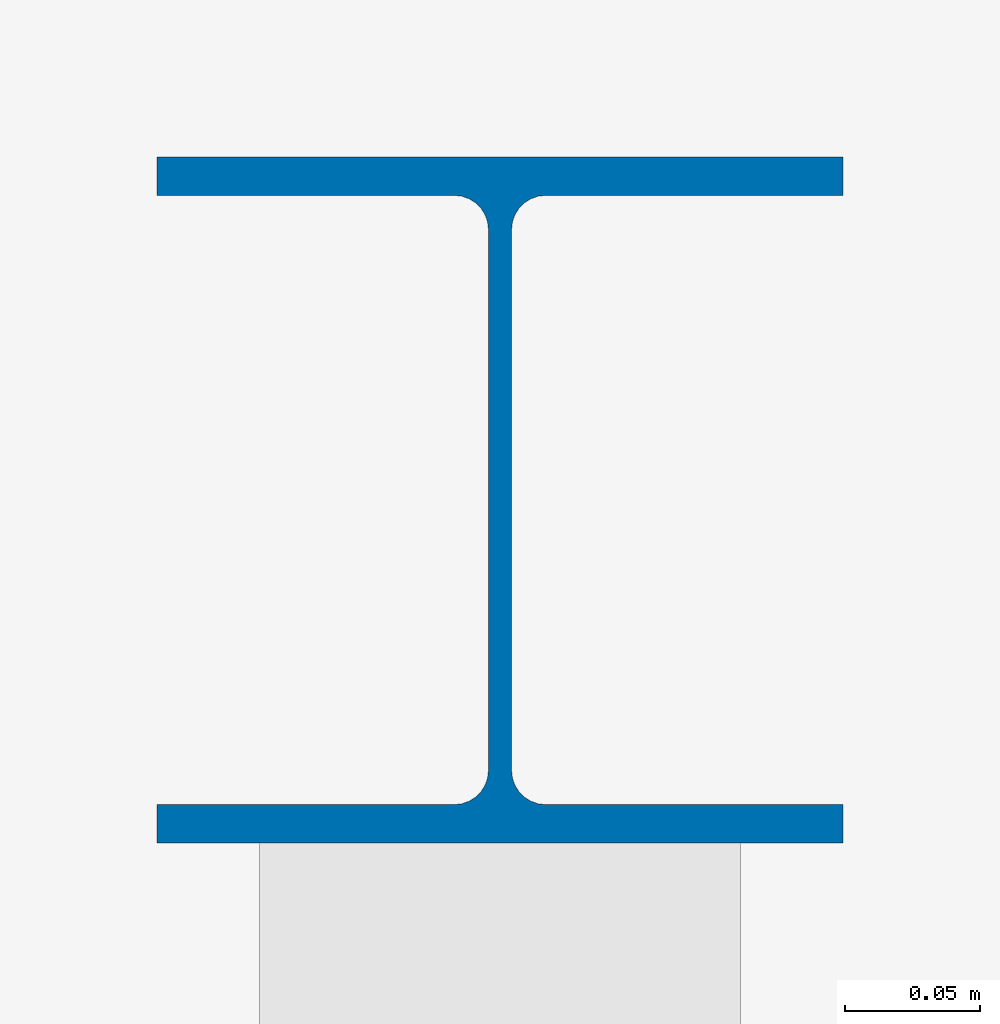
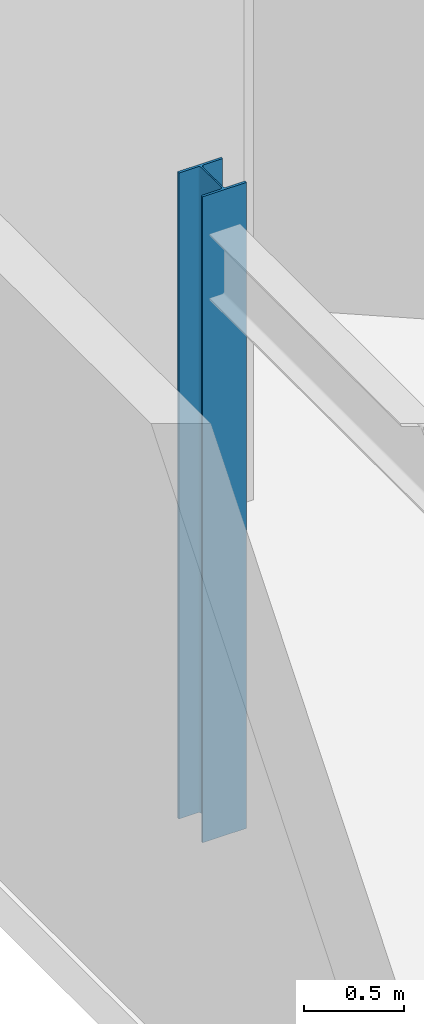
# One storey, part 4 of 15: 1 column.
"""IFC4 building model written with IfcOpenShell, lengths in metres."""

from ifc_helpers import new_model, si_unit, direction, frame, origin, origin_2d, place, context, subcontext, project, spatial, i_section, extrude, material, material_profile, profile_set, type_object, element, save


model = new_model("IFC4")

# Units and contexts
model_context = context("Model", 3, precision=1e-05, world=origin(), true_north=direction((0.0, 1.0)))
body_context = subcontext(model_context, "Body", "Model", "MODEL_VIEW")
ifc_project = project(units=[si_unit("LENGTHUNIT", "METRE"), si_unit("AREAUNIT", "SQUARE_METRE"), si_unit("VOLUMEUNIT", "CUBIC_METRE"), si_unit("PLANEANGLEUNIT", "RADIAN"), si_unit("MASSUNIT", "GRAM", prefix="KILO")], contexts=[model_context])

# Site, building, storey
site_placement = place(None, origin())
site = spatial("IfcSite", under=ifc_project, at=site_placement, CompositionType="ELEMENT")
building_placement = place(site_placement, origin())
building = spatial("IfcBuilding", under=site, at=building_placement, Name="Varnakote Quay Hospital", CompositionType="ELEMENT")
storey_placement = place(building_placement, frame((0.0, 0.0, 248.64990234375)))
storey = spatial("IfcBuildingStorey", under=building, at=storey_placement, Name="L61", CompositionType="ELEMENT", Elevation=248.64990234375)

# Column
ifc_material = material(Name="Structural steel AS/NZS 3679.1 Grade 350 L0 (fy 340 MPa)", Category="steel")
ifc_material_profile = material_profile(ifc_material, i_section(OverallWidth=0.25390625, OverallDepth=0.25390625, WebThickness=0.008544921875, FlangeThickness=0.01416015625, FilletRadius=0.0126953125, at=origin_2d()), Name="250UC72.9")
ifc_profile_set = profile_set([ifc_material_profile], Name="Structural steel AS/NZS 3679.1 Grade 350 L0 (fy 340 MPa)")
column_type = type_object("IfcColumnType", Name="COL-STL-250UC72-9", PredefinedType="COLUMN", material=ifc_profile_set)
column_placement = place(storey_placement, frame((1.199951171875, 37.199951171875, 0.0), z_axis=(0.0, 0.0, 1.0), x_axis=(1.0, 0.0, 0.0)))
element("IfcColumn", 1, at=column_placement, inside=storey, type_object=column_type, Name="L61 Structural Column C-1-37", PredefinedType="COLUMN", context=body_context, shape_type="SweptSolid", body=[
    extrude(i_section(OverallWidth=0.25390625, OverallDepth=0.25390625, WebThickness=0.008544921875, FlangeThickness=0.01416015625, FilletRadius=0.0126953125, at=origin_2d()), origin(), (0.0, 0.0, 1.0), 3.9501953125),
])

save(model, "model.ifc")
